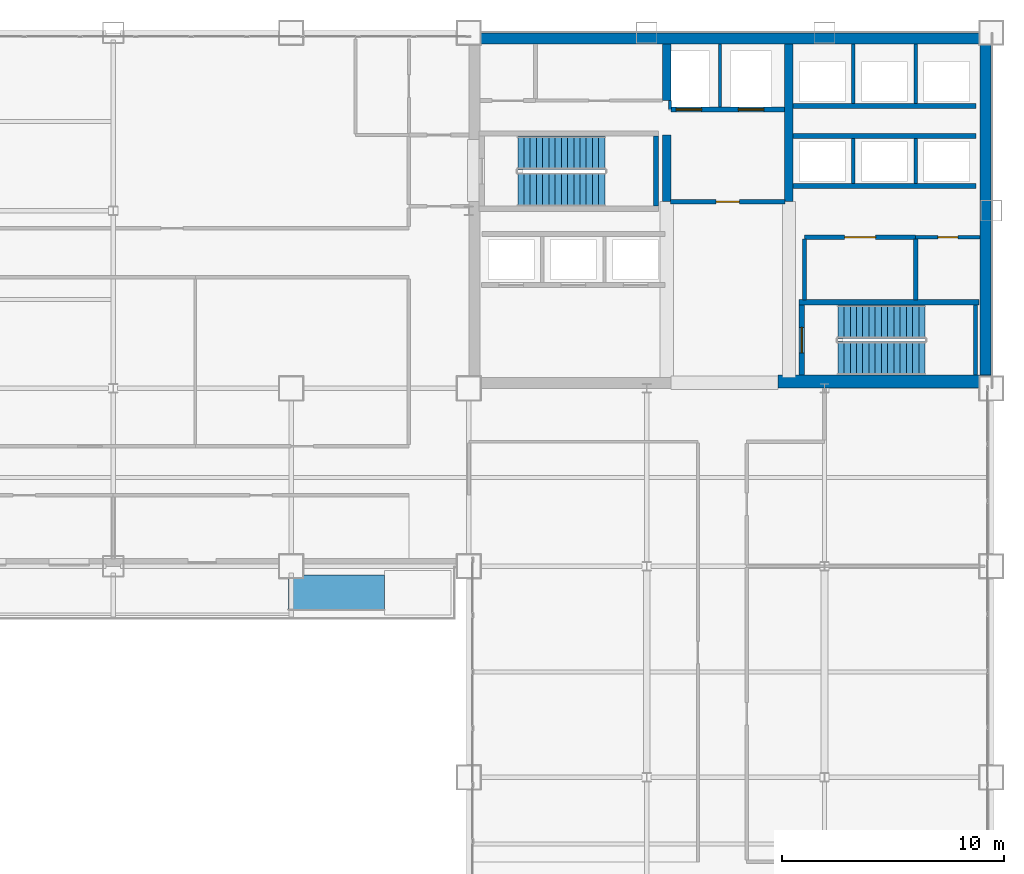
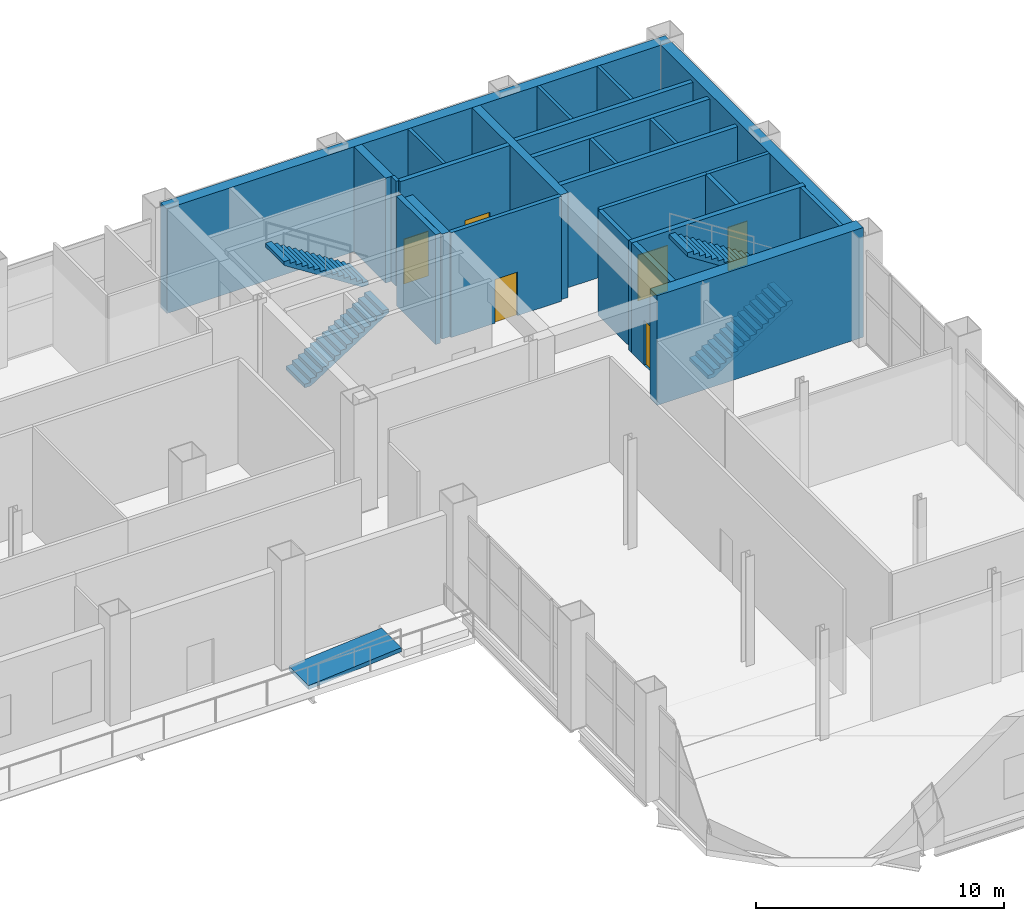
# One storey, part 20 of 22: 25 walls, 6 doors, 4 stair flights, 1 ramp flight, 6 openings, 3 elements without a shape of their own.
"""IFC4 building model written with IfcOpenShell, lengths in metres."""

from ifc_helpers import new_model, si_unit, direction, frame, frame_2d, origin, place, context, subcontext, project, spatial, polyline, rectangle, outline, extrude, material, layer, layer_set, type_object, element, fill, aggregate, save


model = new_model("IFC4")

# Units and contexts
model_context = context("Model", 3, precision=1e-05, world=origin(), true_north=direction((0.0, 1.0)))
body_context = subcontext(model_context, "Body", "Model", "MODEL_VIEW")
ifc_project = project(units=[si_unit("LENGTHUNIT", "METRE"), si_unit("AREAUNIT", "SQUARE_METRE"), si_unit("VOLUMEUNIT", "CUBIC_METRE"), si_unit("PLANEANGLEUNIT", "RADIAN"), si_unit("MASSUNIT", "GRAM", prefix="KILO")], contexts=[model_context])

# Site, building, storey
site_placement = place(None, origin())
site = spatial("IfcSite", under=ifc_project, at=site_placement, CompositionType="ELEMENT")
building_placement = place(site_placement, origin())
building = spatial("IfcBuilding", under=site, at=building_placement, Name="Qianrong Seaharbour Tower", CompositionType="ELEMENT")
storey_placement = place(building_placement, frame((0.0, 0.0, 113.60009765625)))
storey = spatial("IfcBuildingStorey", under=building, at=storey_placement, Name="L27", CompositionType="ELEMENT", Elevation=113.60009765625)

# Walls
ifc_material_1 = material(Name="Concrete C60/75", Category="concrete")
ifc_layer_1 = layer(ifc_material_1, 0.5)
ifc_layer_set_1 = layer_set([ifc_layer_1], Name="Concrete C60/75")
wall_type_1 = type_object("IfcWallType", Name="WALL-CORE-500", PredefinedType="SHEAR", material=ifc_layer_set_1)
wall_1_placement = place(storey_placement, frame((40.5, 51.75, 0.0), z_axis=(0.0, 0.0, 1.0), x_axis=(1.0, 0.0, 0.0)))
element("IfcWall", 1, at=wall_1_placement, inside=storey, type_object=wall_type_1, Name="L27 North Core Shear Wall", PredefinedType="SHEAR", context=body_context, shape_type="SweptSolid", body=[
    extrude(rectangle(XDim=23.5, YDim=0.5, at=frame_2d((11.75, 0.0))), origin(), (0.0, 0.0, 1.0), 5.164794921875),
])
wall_2_placement = place(storey_placement, frame((63.75, 36.320068359375, 0.0), z_axis=(0.0, 0.0, 1.0), x_axis=(0.0, 1.0, 0.0)))
element("IfcWall", 2, at=wall_2_placement, inside=storey, type_object=wall_type_1, Name="L27 East Core Shear Wall", PredefinedType="SHEAR", context=body_context, shape_type="SweptSolid", body=[
    extrude(rectangle(XDim=15.179931640625, YDim=0.5, at=frame_2d((7.58984375, 0.0))), origin(), (0.0, 0.0, 1.0), 5.164794921875),
])
ifc_material_2 = material(Name="Concrete C70/85", Category="concrete")
ifc_layer_2 = layer(ifc_material_2, 0.580078125)
ifc_layer_set_2 = layer_set([ifc_layer_2], Name="Concrete C70/85")
wall_type_2 = type_object("IfcWallType", Name="WALL-CORE-580", PredefinedType="SHEAR", material=ifc_layer_set_2)
wall_3_placement = place(storey_placement, frame((54.39990234375, 36.320068359375, 0.0), z_axis=(0.0, 0.0, 1.0), x_axis=(1.0, 0.0, 0.0)))
element("IfcWall", 3, at=wall_3_placement, inside=storey, type_object=wall_type_2, Name="L27 South Core Shear Wall S3", PredefinedType="SHEAR", context=body_context, shape_type="SweptSolid", body=[
    extrude(rectangle(XDim=9.60009765625, YDim=0.580078125, at=frame_2d((4.800048828125, 0.0))), origin(), (0.0, 0.0, 1.0), 5.39990234375),
])
ifc_layer_3 = layer(ifc_material_1, 0.3798828125)
ifc_layer_set_3 = layer_set([ifc_layer_3], Name="Concrete C60/75")
wall_type_3 = type_object("IfcWallType", Name="WALL-CORE-INT-380", PredefinedType="SHEAR", material=ifc_layer_set_3)
wall_4_placement = place(storey_placement, frame((49.39990234375, 44.39990234375, 0.0), z_axis=(0.0, 0.0, 1.0), x_axis=(0.0, 1.0, 0.0)))
element("IfcWall", 4, at=wall_4_placement, inside=storey, type_object=wall_type_3, Name="L27 Internal Core Shear Wall IW1N1", PredefinedType="SHEAR", context=body_context, shape_type="SweptSolid", body=[
    extrude(rectangle(XDim=3.0, YDim=0.3798828125, at=frame_2d((1.5, 0.0))), origin(), (0.0, 0.0, 1.0), 5.164794921875),
])
wall_5_placement = place(storey_placement, frame((49.39990234375, 48.949951171875, 0.0), z_axis=(0.0, 0.0, 1.0), x_axis=(0.0, 1.0, 0.0)))
element("IfcWall", 5, at=wall_5_placement, inside=storey, type_object=wall_type_3, Name="L27 Internal Core Shear Wall IW1N2", PredefinedType="SHEAR", context=body_context, shape_type="SweptSolid", body=[
    extrude(rectangle(XDim=2.550048828125, YDim=0.3798828125, at=frame_2d((1.27490234375, 0.0))), origin(), (0.0, 0.0, 1.0), 5.164794921875),
])
wall_6_placement = place(storey_placement, frame((54.89990234375, 44.39990234375, 0.0), z_axis=(0.0, 0.0, 1.0), x_axis=(0.0, 1.0, 0.0)))
element("IfcWall", 6, at=wall_6_placement, inside=storey, type_object=wall_type_3, Name="L27 Internal Core Shear Wall IW2N", PredefinedType="SHEAR", context=body_context, shape_type="SweptSolid", body=[
    extrude(rectangle(XDim=7.10009765625, YDim=0.3798828125, at=frame_2d((3.550048828125, 0.0))), origin(), (0.0, 0.0, 1.0), 5.164794921875),
])

# Wall, opening, door
ifc_material_3 = material(Name="Fire-rated acoustic gypsum board partition")
ifc_layer_4 = layer(ifc_material_3, 0.1650390625)
ifc_layer_set_4 = layer_set([ifc_layer_4], Name="Fire-rated acoustic gypsum board partition")
wall_type_4 = type_object("IfcWallType", Name="WALL-CORR-PART-165", PredefinedType="PARTITIONING", material=ifc_layer_set_4)
wall_7_placement = place(storey_placement, frame((63.5, 42.800048828125, 0.0), z_axis=(0.0, 0.0, 1.0), x_axis=(-1.0, 0.0, 0.0)))
wall_7 = element("IfcWall", 7, at=wall_7_placement, inside=storey, type_object=wall_type_4, Name="L27 Interior Partition Wall 012", PredefinedType="PARTITIONING", context=body_context, shape_type="SweptSolid", body=[
    extrude(rectangle(XDim=2.89990234375, YDim=0.1650390625, at=frame_2d((1.449951171875, 0.0))), origin(), (0.0, 0.0, 1.0), 5.164794921875),
])
opening_1_placement = place(wall_7_placement, frame((1.0, 0.0, 0.0)))
opening_1 = element("IfcOpeningElement", 8, at=opening_1_placement, cuts=wall_7, Name="Opening DS-01", PredefinedType="OPENING", context=body_context, shape_type="SweptSolid", body=[
    extrude(rectangle(XDim=0.89990234375, YDim=2.14990234375, at=frame_2d((0.449951171875, 1.074951171875))), frame((0.0, 0.092529296875, 0.0), z_axis=(0.0, -1.0, 0.0), x_axis=(1.0, 0.0, 0.0)), (0.0, 0.0, 1.0), 0.18505859375),
])
ifc_material_4 = material(Name="Acoustic timber and galvanized steel fire door assembly", Category="steel")
door_type_1 = type_object("IfcDoorType", Name="DOOR-STORE-900x2150", OperationType="NOTDEFINED", PredefinedType="DOOR", material=ifc_material_4)
door_1_placement = place(opening_1_placement, origin())
door_1 = element("IfcDoor", 9, at=door_1_placement, inside=storey, type_object=door_type_1, Name="L27 Housekeeping Linen Store Door", OperationType="SINGLE_SWING_RIGHT", OverallHeight=2.14990234375, OverallWidth=0.89990234375, PredefinedType="DOOR", context=body_context, shape_type="SweptSolid", body=[
    extrude(rectangle(XDim=0.89990234375, YDim=2.14990234375, at=frame_2d((0.449951171875, 1.074951171875))), frame((0.0, 0.02490234375, 0.0), z_axis=(0.0, -1.0, 0.0), x_axis=(1.0, 0.0, 0.0)), (0.0, 0.0, 1.0), 0.050048828125),
])
fill(opening_1, door_1)

ifc_material_5 = material(Name="Double fire-rated gypsum board acoustic partition")
ifc_layer_5 = layer(ifc_material_5, 0.18994140625)
ifc_layer_set_5 = layer_set([ifc_layer_5], Name="Double fire-rated gypsum board acoustic partition")
wall_type_5 = type_object("IfcWallType", Name="WALL-FIRE-PART-190", PredefinedType="PARTITIONING", material=ifc_layer_set_5)
wall_8_placement = place(storey_placement, frame((54.718017578125, 44.39990234375, 0.0), z_axis=(0.0, 0.0, 1.0), x_axis=(-1.0, 0.0, 0.0)))
wall_8 = element("IfcWall", 10, at=wall_8_placement, inside=storey, type_object=wall_type_5, Name="L27 Interior Partition Wall 009", PredefinedType="PARTITIONING", context=body_context, shape_type="SweptSolid", body=[
    extrude(rectangle(XDim=5.135986328125, YDim=0.18994140625, at=frame_2d((2.56787109375, 0.0))), origin(), (0.0, 0.0, 1.0), 5.164794921875),
])
opening_2_placement = place(wall_8_placement, frame((2.04296875, 0.0, 0.0)))
opening_2 = element("IfcOpeningElement", 11, at=opening_2_placement, cuts=wall_8, Name="Opening DC-01", PredefinedType="OPENING", context=body_context, shape_type="SweptSolid", body=[
    extrude(rectangle(XDim=1.050048828125, YDim=2.14990234375, at=frame_2d((0.52490234375, 1.074951171875))), frame((0.0, 0.10498046875, 0.0), z_axis=(0.0, -1.0, 0.0), x_axis=(1.0, 0.0, 0.0)), (0.0, 0.0, 1.0), 0.2099609375),
])
door_type_2 = type_object("IfcDoorType", Name="DOOR-CORR-FD60-1050x2150", OperationType="NOTDEFINED", PredefinedType="DOOR", material=ifc_material_4)
door_2_placement = place(opening_2_placement, origin())
door_2 = element("IfcDoor", 12, at=door_2_placement, inside=storey, type_object=door_type_2, Name="L27 Firefighting Lift Lobby Door", OperationType="SINGLE_SWING_RIGHT", OverallHeight=2.14990234375, OverallWidth=1.050048828125, PredefinedType="DOOR", context=body_context, shape_type="SweptSolid", body=[
    extrude(rectangle(XDim=1.050048828125, YDim=2.14990234375, at=frame_2d((0.52490234375, 1.074951171875))), frame((0.0, 0.02490234375, 0.0), z_axis=(0.0, -1.0, 0.0), x_axis=(1.0, 0.0, 0.0)), (0.0, 0.0, 1.0), 0.050048828125),
])
fill(opening_2, door_2)

# Wall
wall_9_placement = place(storey_placement, frame((55.60009765625, 42.712890625, 0.0), z_axis=(0.0, 0.0, 1.0), x_axis=(0.0, -1.0, 0.0)))
element("IfcWall", 13, at=wall_9_placement, inside=storey, type_object=wall_type_5, Name="L27 Interior Partition Wall 010", PredefinedType="PARTITIONING", context=body_context, shape_type="SweptSolid", body=[
    extrude(rectangle(XDim=2.73095703125, YDim=0.18994140625, at=frame_2d((1.365478515625, 0.0))), origin(), (0.0, 0.0, 1.0), 5.164794921875),
])

# Wall, opening, door
wall_10_placement = place(storey_placement, frame((60.60009765625, 42.800048828125, 0.0), z_axis=(0.0, 0.0, 1.0), x_axis=(-1.0, 0.0, 0.0)))
wall_10 = element("IfcWall", 14, at=wall_10_placement, inside=storey, type_object=wall_type_5, Name="L27 Interior Partition Wall 011", PredefinedType="PARTITIONING", context=body_context, shape_type="SweptSolid", body=[
    extrude(rectangle(XDim=5.0, YDim=0.18994140625, at=frame_2d((2.5, 0.0))), origin(), (0.0, 0.0, 1.0), 5.164794921875),
])
opening_3_placement = place(wall_10_placement, frame((1.800048828125, 0.0, 0.0)))
opening_3 = element("IfcOpeningElement", 15, at=opening_3_placement, cuts=wall_10, Name="Opening DP-01", PredefinedType="OPENING", context=body_context, shape_type="SweptSolid", body=[
    extrude(rectangle(XDim=1.39990234375, YDim=2.25, at=frame_2d((0.699951171875, 1.125))), frame((0.0, 0.10498046875, 0.0), z_axis=(0.0, -1.0, 0.0), x_axis=(1.0, 0.0, 0.0)), (0.0, 0.0, 1.0), 0.2099609375),
])
door_type_3 = type_object("IfcDoorType", Name="DOOR-PLANT-PAIR-1400x2250", OperationType="DOUBLE_DOOR_SINGLE_SWING", PredefinedType="DOOR", material=ifc_material_4)
door_3_placement = place(opening_3_placement, origin())
door_3 = element("IfcDoor", 16, at=door_3_placement, inside=storey, type_object=door_type_3, Name="L27 Submetering Switch Room Door", OperationType="DOUBLE_DOOR_SINGLE_SWING", OverallHeight=2.25, OverallWidth=1.39990234375, PredefinedType="DOOR", context=body_context, shape_type="SweptSolid", body=[
    extrude(rectangle(XDim=1.39990234375, YDim=2.25, at=frame_2d((0.699951171875, 1.125))), frame((0.0, 0.02490234375, 0.0), z_axis=(0.0, -1.0, 0.0), x_axis=(1.0, 0.0, 0.0)), (0.0, 0.0, 1.0), 0.050048828125),
])
fill(opening_3, door_3)

# Walls
wall_11_placement = place(storey_placement, frame((60.60009765625, 42.712890625, 0.0), z_axis=(0.0, 0.0, 1.0), x_axis=(0.0, -1.0, 0.0)))
element("IfcWall", 17, at=wall_11_placement, inside=storey, type_object=wall_type_5, Name="L27 Interior Partition Wall 014", PredefinedType="PARTITIONING", context=body_context, shape_type="SweptSolid", body=[
    extrude(rectangle(XDim=2.73095703125, YDim=0.18994140625, at=frame_2d((1.365478515625, 0.0))), origin(), (0.0, 0.0, 1.0), 5.164794921875),
])
ifc_material_6 = material(Name="Fire-rated gypsum board on steel studs", Category="steel")
ifc_layer_6 = layer(ifc_material_6, 0.14990234375)
ifc_layer_set_6 = layer_set([ifc_layer_6], Name="Fire-rated gypsum board on steel studs")
wall_type_6 = type_object("IfcWallType", Name="WALL-SHAFT-DIV-150", PredefinedType="PARTITIONING", material=ifc_layer_set_6)
wall_12_placement = place(storey_placement, frame((51.800048828125, 48.669921875, 0.0), z_axis=(0.0, 0.0, 1.0), x_axis=(0.0, 1.0, 0.0)))
element("IfcWall", 18, at=wall_12_placement, inside=storey, type_object=wall_type_6, Name="L27 Firefighting Lift Shaft Divider Wall", PredefinedType="PARTITIONING", context=body_context, shape_type="SweptSolid", body=[
    extrude(rectangle(XDim=2.830078125, YDim=0.14990234375, at=frame_2d((1.4150390625, 0.0))), origin(), (0.0, 0.0, 1.0), 5.164794921875),
])
wall_13_placement = place(storey_placement, frame((49.550048828125, 48.550048828125, 0.0), z_axis=(0.0, 0.0, 1.0), x_axis=(0.0, 1.0, 0.0)))
element("IfcWall", 19, at=wall_13_placement, inside=storey, type_object=wall_type_6, Name="L27 Firefighting Lift Shaft West Return Wall", PredefinedType="PARTITIONING", context=body_context, shape_type="SweptSolid", body=[
    extrude(rectangle(XDim=0.39990234375, YDim=0.14990234375, at=frame_2d((0.199951171875, 0.0))), origin(), (0.0, 0.0, 1.0), 5.164794921875),
])
for number, where, z_axis, x_axis, name in (
    (20, (57.800048828125, 45.2099609375, 0.0), (0.0, 0.0, 1.0), (0.0, 1.0, 0.0), "L27 P3 Lift Hoistway Divider 2"),
    (21, (60.60009765625, 45.2099609375, 0.0), (0.0, 0.0, 1.0), (0.0, 1.0, 0.0), "L27 P3 Lift Hoistway Divider 3"),
):
    element("IfcWall", number, at=place(storey_placement, frame(where, z_axis=z_axis, x_axis=x_axis)), inside=storey, type_object=wall_type_6, Name=name, PredefinedType="PARTITIONING", context=body_context, shape_type="SweptSolid", body=[
        extrude(rectangle(XDim=2.030029296875, YDim=0.14990234375, at=frame_2d((1.01513671875, 0.0))), origin(), (0.0, 0.0, 1.0), 5.164794921875),
    ])
for number, where, z_axis, x_axis, name in (
    (22, (57.800048828125, 48.81005859375, 0.0), (0.0, 0.0, 1.0), (0.0, 1.0, 0.0), "L27 P4 Lift Hoistway Divider 2"),
    (23, (60.60009765625, 48.81005859375, 0.0), (0.0, 0.0, 1.0), (0.0, 1.0, 0.0), "L27 P4 Lift Hoistway Divider 3"),
):
    element("IfcWall", number, at=place(storey_placement, frame(where, z_axis=z_axis, x_axis=x_axis)), inside=storey, type_object=wall_type_6, Name=name, PredefinedType="PARTITIONING", context=body_context, shape_type="SweptSolid", body=[
        extrude(rectangle(XDim=2.68994140625, YDim=0.14990234375, at=frame_2d((1.344970703125, 0.0))), origin(), (0.0, 0.0, 1.0), 5.164794921875),
    ])

# Wall, openings, doors
ifc_layer_7 = layer(ifc_material_6, 0.219970703125)
ifc_layer_set_7 = layer_set([ifc_layer_7], Name="Fire-rated gypsum board on steel studs")
wall_type_7 = type_object("IfcWallType", Name="WALL-SHAFT-GYP220", PredefinedType="PARTITIONING", material=ifc_layer_set_7)
wall_14_placement = place(storey_placement, frame((54.7099609375, 48.550048828125, 0.0), z_axis=(0.0, 0.0, 1.0), x_axis=(-1.0, 0.0, 0.0)))
wall_14 = element("IfcWall", 24, at=wall_14_placement, inside=storey, type_object=wall_type_7, Name="L27 Firefighting Lift Shaft Front Wall", PredefinedType="PARTITIONING", context=body_context, shape_type="SweptSolid", body=[
    extrude(rectangle(XDim=5.119873046875, YDim=0.219970703125, at=frame_2d((2.56005859375, 0.0))), origin(), (0.0, 0.0, 1.0), 5.164794921875),
])
opening_4_placement = place(wall_14_placement, frame((3.735107421875, 0.0, 0.0)))
opening_4 = element("IfcOpeningElement", 25, at=opening_4_placement, cuts=wall_14, Name="Opening LD-01", PredefinedType="OPENING", context=body_context, shape_type="SweptSolid", body=[
    extrude(rectangle(XDim=1.14990234375, YDim=2.199951171875, at=frame_2d((0.574951171875, 1.10009765625))), frame((0.0, 0.1201171875, 0.0), z_axis=(0.0, -1.0, 0.0), x_axis=(1.0, 0.0, 0.0)), (0.0, 0.0, 1.0), 0.239990234375),
])
opening_5_placement = place(wall_14_placement, frame((0.93505859375, 0.0, 0.0)))
opening_5 = element("IfcOpeningElement", 26, at=opening_5_placement, cuts=wall_14, Name="Opening LD-01", PredefinedType="OPENING", context=body_context, shape_type="SweptSolid", body=[
    extrude(rectangle(XDim=1.14990234375, YDim=2.199951171875, at=frame_2d((0.574951171875, 1.10009765625))), frame((0.0, 0.1201171875, 0.0), z_axis=(0.0, -1.0, 0.0), x_axis=(1.0, 0.0, 0.0)), (0.0, 0.0, 1.0), 0.239990234375),
])
ifc_material_7 = material(Name="Stainless steel SUS316L bi-parting lift landing door", Category="steel")
door_type_4 = type_object("IfcDoorType", Name="DOOR-LIFT-FF-1150x2200", OperationType="DOUBLE_DOOR_SLIDING", PredefinedType="DOOR", material=ifc_material_7)
door_4_placement = place(opening_4_placement, origin())
door_4 = element("IfcDoor", 27, at=door_4_placement, inside=storey, type_object=door_type_4, Name="L27 FL-1 Firefighting Lift Landing Door", OperationType="DOUBLE_DOOR_SLIDING", OverallHeight=2.199951171875, OverallWidth=1.14990234375, PredefinedType="DOOR", context=body_context, shape_type="SweptSolid", body=[
    extrude(rectangle(XDim=1.14990234375, YDim=2.199951171875, at=frame_2d((0.574951171875, 1.10009765625))), frame((0.0, 0.02490234375, 0.0), z_axis=(0.0, -1.0, 0.0), x_axis=(1.0, 0.0, 0.0)), (0.0, 0.0, 1.0), 0.050048828125),
])
fill(opening_4, door_4)
door_5_placement = place(opening_5_placement, origin())
door_5 = element("IfcDoor", 28, at=door_5_placement, inside=storey, type_object=door_type_4, Name="L27 FL-2 Firefighting Lift Landing Door", OperationType="DOUBLE_DOOR_SLIDING", OverallHeight=2.199951171875, OverallWidth=1.14990234375, PredefinedType="DOOR", context=body_context, shape_type="SweptSolid", body=[
    extrude(rectangle(XDim=1.14990234375, YDim=2.199951171875, at=frame_2d((0.574951171875, 1.10009765625))), frame((0.0, 0.02490234375, 0.0), z_axis=(0.0, -1.0, 0.0), x_axis=(1.0, 0.0, 0.0)), (0.0, 0.0, 1.0), 0.050048828125),
])
fill(opening_5, door_5)

# Walls
for number, where, z_axis, x_axis, name in (
    (29, (63.320068359375, 45.10009765625, 0.0), (0.0, 0.0, 1.0), (-1.0, 0.0, 0.0), "L27 P3 Lift Hoistway Front Wall"),
    (30, (55.080078125, 47.35009765625, 0.0), (0.0, 0.0, 1.0), (1.0, 0.0, 0.0), "L27 P3 Lift Hoistway Back Wall"),
    (31, (63.320068359375, 48.699951171875, 0.0), (0.0, 0.0, 1.0), (-1.0, 0.0, 0.0), "L27 P4 Lift Hoistway Front Wall"),
):
    element("IfcWall", number, at=place(storey_placement, frame(where, z_axis=z_axis, x_axis=x_axis)), inside=storey, type_object=wall_type_7, Name=name, PredefinedType="PARTITIONING", context=body_context, shape_type="SweptSolid", body=[
        extrude(rectangle(XDim=8.239990234375, YDim=0.219970703125, at=frame_2d((4.1201171875, 0.0))), origin(), (0.0, 0.0, 1.0), 5.164794921875),
    ])
ifc_material_8 = material(Name="Concrete C50/60", Category="concrete")
ifc_layer_8 = layer(ifc_material_8, 0.239990234375)
ifc_layer_set_8 = layer_set([ifc_layer_8], Name="Concrete C50/60")
wall_type_8 = type_object("IfcWallType", Name="WALL-SHAFT-RC240", PredefinedType="SOLIDWALL", material=ifc_layer_set_8)
wall_15_placement = place(storey_placement, frame((48.919921875, 44.199951171875, 0.0), z_axis=(0.0, 0.0, 1.0), x_axis=(0.0, 1.0, 0.0)))
element("IfcWall", 32, at=wall_15_placement, inside=storey, type_object=wall_type_8, Name="L27 ST-1 Structural Stair Core Wall E", PredefinedType="SOLIDWALL", context=body_context, shape_type="SweptSolid", body=[
    extrude(rectangle(XDim=3.150146484375, YDim=0.239990234375, at=frame_2d((1.5751953125, 0.0))), origin(), (0.0, 0.0, 1.0), 5.39990234375),
])
wall_16_placement = place(storey_placement, frame((55.360107421875, 39.8701171875, 0.0), z_axis=(0.0, 0.0, 1.0), x_axis=(1.0, 0.0, 0.0)))
element("IfcWall", 33, at=wall_16_placement, inside=storey, type_object=wall_type_8, Name="L27 ST-2 Structural Stair Core Wall N", PredefinedType="SOLIDWALL", context=body_context, shape_type="SweptSolid", body=[
    extrude(rectangle(XDim=8.079833984375, YDim=0.239990234375, at=frame_2d((4.0400390625, 0.0))), origin(), (0.0, 0.0, 1.0), 5.39990234375),
])

# Wall, opening, door
wall_17_placement = place(storey_placement, frame((55.47998046875, 39.75, 0.0), z_axis=(0.0, 0.0, 1.0), x_axis=(0.0, -1.0, 0.0)))
wall_17 = element("IfcWall", 34, at=wall_17_placement, inside=storey, type_object=wall_type_8, Name="L27 ST-2 Structural Stair Core Wall W", PredefinedType="SOLIDWALL", context=body_context, shape_type="SweptSolid", body=[
    extrude(rectangle(XDim=3.14990234375, YDim=0.239990234375, at=frame_2d((1.574951171875, 0.0))), origin(), (0.0, 0.0, 1.0), 5.39990234375),
])
opening_6_placement = place(wall_17_placement, frame((1.0, 0.0, 0.0)))
opening_6 = element("IfcOpeningElement", 35, at=opening_6_placement, cuts=wall_17, Name="Opening SD-01", PredefinedType="OPENING", context=body_context, shape_type="SweptSolid", body=[
    extrude(rectangle(XDim=1.14990234375, YDim=2.199951171875, at=frame_2d((0.574951171875, 1.10009765625))), frame((0.0, 0.1298828125, 0.0), z_axis=(0.0, -1.0, 0.0), x_axis=(1.0, 0.0, 0.0)), (0.0, 0.0, 1.0), 0.260009765625),
])
door_type_5 = type_object("IfcDoorType", Name="DOOR-STAIR-FD60-1150x2200", OperationType="NOTDEFINED", PredefinedType="DOOR", material=ifc_material_4)
door_6_placement = place(opening_6_placement, origin())
door_6 = element("IfcDoor", 36, at=door_6_placement, inside=storey, type_object=door_type_5, Name="L27 ST-2 Protected Stair Door", OperationType="SINGLE_SWING_RIGHT", OverallHeight=2.199951171875, OverallWidth=1.14990234375, PredefinedType="DOOR", context=body_context, shape_type="SweptSolid", body=[
    extrude(rectangle(XDim=1.14990234375, YDim=2.199951171875, at=frame_2d((0.574951171875, 1.10009765625))), frame((0.0, 0.02490234375, 0.0), z_axis=(0.0, -1.0, 0.0), x_axis=(1.0, 0.0, 0.0)), (0.0, 0.0, 1.0), 0.050048828125),
])
fill(opening_6, door_6)

# Wall
wall_18_placement = place(storey_placement, frame((63.2900390625, 36.60009765625, 0.0), z_axis=(0.0, 0.0, 1.0), x_axis=(0.0, 1.0, 0.0)))
element("IfcWall", 37, at=wall_18_placement, inside=storey, type_object=wall_type_8, Name="L27 ST-2 Structural Stair Core Wall E", PredefinedType="SOLIDWALL", context=body_context, shape_type="SweptSolid", body=[
    extrude(rectangle(XDim=3.14990234375, YDim=0.179931640625, at=frame_2d((1.574951171875, 0.0))), origin(), (0.0, 0.0, 1.0), 5.39990234375),
])

# Stair, stair flights
stair_type = type_object("IfcStairType", Name="STAIR-DOGLEG-1500-R30", PredefinedType="HALF_TURN_STAIR", material=ifc_material_8)
stair_1_placement = place(storey_placement, origin())
stair_1 = element("IfcStair", 38, at=stair_1_placement, inside=storey, type_object=stair_type, Name="L27 Protected Escape Stair ST-1", PredefinedType="HALF_TURN_STAIR")
stair_flight_type = type_object("IfcStairFlightType", Name="FLIGHT-STR-1500-R30", PredefinedType="STRAIGHT", material=ifc_material_8)
stair_flight_1_placement = place(storey_placement, frame((42.699951171875, 44.949951171875, 0.0), z_axis=(0.0, 0.0, 1.0), x_axis=(1.0, 0.0, 0.0)))
stair_flight_1 = element("IfcStairFlight", 39, at=stair_flight_1_placement, type_object=stair_flight_type, Name="ST-1 flight 1", NumberOfRisers=15, NumberOfTreads=14, PredefinedType="STRAIGHT", RiserHeight=0.18, TreadLength=0.28, context=body_context, shape_type="SweptSolid", body=[
    extrude(outline(polyline([(0.0, 0.0), (0.0, 0.179931640625), (0.280029296875, 0.179931640625), (0.280029296875, 0.360107421875), (0.56005859375, 0.360107421875), (0.56005859375, 0.5400390625), (0.840087890625, 0.5400390625), (0.840087890625, 0.719970703125), (1.1201171875, 0.719970703125), (1.1201171875, 0.89990234375), (1.39990234375, 0.89990234375), (1.39990234375, 1.080078125), (1.679931640625, 1.080078125), (1.679931640625, 1.260009765625), (1.9599609375, 1.260009765625), (1.9599609375, 1.43994140625), (2.239990234375, 1.43994140625), (2.239990234375, 1.6201171875), (2.52001953125, 1.6201171875), (2.52001953125, 1.800048828125), (2.800048828125, 1.800048828125), (2.800048828125, 1.97998046875), (3.080078125, 1.97998046875), (3.080078125, 2.159912109375), (3.360107421875, 2.159912109375), (3.360107421875, 2.340087890625), (3.639892578125, 2.340087890625), (3.639892578125, 2.52001953125), (3.919921875, 2.52001953125), (3.919921875, 2.699951171875), (3.919921875, 2.329833984375), (0.295654296875, 0.0), (0.0, 0.0)])), frame((0.0, 0.75, 0.0), z_axis=(0.0, -1.0, 0.0), x_axis=(1.0, 0.0, 0.0)), (0.0, 0.0, 1.0), 1.5),
])
stair_flight_2_placement = place(storey_placement, frame((46.6201171875, 46.60009765625, 2.699951171875), z_axis=(0.0, 0.0, 1.0), x_axis=(-1.0, 0.0, 0.0)))
stair_flight_2 = element("IfcStairFlight", 40, at=stair_flight_2_placement, type_object=stair_flight_type, Name="ST-1 flight 2", NumberOfRisers=15, NumberOfTreads=14, PredefinedType="STRAIGHT", RiserHeight=0.18, TreadLength=0.28, context=body_context, shape_type="SweptSolid", body=[
    extrude(outline(polyline([(0.0, 0.0), (0.0, 0.179931640625), (0.280029296875, 0.179931640625), (0.280029296875, 0.360107421875), (0.56005859375, 0.360107421875), (0.56005859375, 0.5400390625), (0.840087890625, 0.5400390625), (0.840087890625, 0.719970703125), (1.1201171875, 0.719970703125), (1.1201171875, 0.89990234375), (1.39990234375, 0.89990234375), (1.39990234375, 1.080078125), (1.679931640625, 1.080078125), (1.679931640625, 1.260009765625), (1.9599609375, 1.260009765625), (1.9599609375, 1.43994140625), (2.239990234375, 1.43994140625), (2.239990234375, 1.6201171875), (2.52001953125, 1.6201171875), (2.52001953125, 1.800048828125), (2.800048828125, 1.800048828125), (2.800048828125, 1.97998046875), (3.080078125, 1.97998046875), (3.080078125, 2.159912109375), (3.360107421875, 2.159912109375), (3.360107421875, 2.340087890625), (3.639892578125, 2.340087890625), (3.639892578125, 2.52001953125), (3.919921875, 2.52001953125), (3.919921875, 2.699951171875), (3.919921875, 2.329833984375), (0.295654296875, 0.0), (0.0, 0.0)])), frame((0.0, 0.75, 0.0), z_axis=(0.0, -1.0, 0.0), x_axis=(1.0, 0.0, 0.0)), (0.0, 0.0, 1.0), 1.5),
])
aggregate(stair_1, [stair_flight_1, stair_flight_2])

stair_2_placement = place(storey_placement, origin())
stair_2 = element("IfcStair", 41, at=stair_2_placement, inside=storey, type_object=stair_type, Name="L27 Protected Escape Stair ST-2", PredefinedType="HALF_TURN_STAIR")
stair_flight_3_placement = place(storey_placement, frame((57.10009765625, 37.35009765625, 0.0), z_axis=(0.0, 0.0, 1.0), x_axis=(1.0, 0.0, 0.0)))
stair_flight_3 = element("IfcStairFlight", 42, at=stair_flight_3_placement, type_object=stair_flight_type, Name="ST-2 flight 1", NumberOfRisers=15, NumberOfTreads=14, PredefinedType="STRAIGHT", RiserHeight=0.18, TreadLength=0.28, context=body_context, shape_type="SweptSolid", body=[
    extrude(outline(polyline([(0.0, 0.0), (0.0, 0.179931640625), (0.280029296875, 0.179931640625), (0.280029296875, 0.360107421875), (0.56005859375, 0.360107421875), (0.56005859375, 0.5400390625), (0.840087890625, 0.5400390625), (0.840087890625, 0.719970703125), (1.1201171875, 0.719970703125), (1.1201171875, 0.89990234375), (1.39990234375, 0.89990234375), (1.39990234375, 1.080078125), (1.679931640625, 1.080078125), (1.679931640625, 1.260009765625), (1.9599609375, 1.260009765625), (1.9599609375, 1.43994140625), (2.239990234375, 1.43994140625), (2.239990234375, 1.6201171875), (2.52001953125, 1.6201171875), (2.52001953125, 1.800048828125), (2.800048828125, 1.800048828125), (2.800048828125, 1.97998046875), (3.080078125, 1.97998046875), (3.080078125, 2.159912109375), (3.360107421875, 2.159912109375), (3.360107421875, 2.340087890625), (3.639892578125, 2.340087890625), (3.639892578125, 2.52001953125), (3.919921875, 2.52001953125), (3.919921875, 2.699951171875), (3.919921875, 2.329833984375), (0.295654296875, 0.0), (0.0, 0.0)])), frame((0.0, 0.75, 0.0), z_axis=(0.0, -1.0, 0.0), x_axis=(1.0, 0.0, 0.0)), (0.0, 0.0, 1.0), 1.5),
])
stair_flight_4_placement = place(storey_placement, frame((61.02001953125, 39.0, 2.699951171875), z_axis=(0.0, 0.0, 1.0), x_axis=(-1.0, 0.0, 0.0)))
stair_flight_4 = element("IfcStairFlight", 43, at=stair_flight_4_placement, type_object=stair_flight_type, Name="ST-2 flight 2", NumberOfRisers=15, NumberOfTreads=14, PredefinedType="STRAIGHT", RiserHeight=0.18, TreadLength=0.28, context=body_context, shape_type="SweptSolid", body=[
    extrude(outline(polyline([(0.0, 0.0), (0.0, 0.179931640625), (0.280029296875, 0.179931640625), (0.280029296875, 0.360107421875), (0.56005859375, 0.360107421875), (0.56005859375, 0.5400390625), (0.840087890625, 0.5400390625), (0.840087890625, 0.719970703125), (1.1201171875, 0.719970703125), (1.1201171875, 0.89990234375), (1.39990234375, 0.89990234375), (1.39990234375, 1.080078125), (1.679931640625, 1.080078125), (1.679931640625, 1.260009765625), (1.9599609375, 1.260009765625), (1.9599609375, 1.43994140625), (2.239990234375, 1.43994140625), (2.239990234375, 1.6201171875), (2.52001953125, 1.6201171875), (2.52001953125, 1.800048828125), (2.800048828125, 1.800048828125), (2.800048828125, 1.97998046875), (3.080078125, 1.97998046875), (3.080078125, 2.159912109375), (3.360107421875, 2.159912109375), (3.360107421875, 2.340087890625), (3.639892578125, 2.340087890625), (3.639892578125, 2.52001953125), (3.919921875, 2.52001953125), (3.919921875, 2.699951171875), (3.919921875, 2.329833984375), (0.295654296875, 0.0), (0.0, 0.0)])), frame((0.0, 0.75, 0.0), z_axis=(0.0, -1.0, 0.0), x_axis=(1.0, 0.0, 0.0)), (0.0, 0.0, 1.0), 1.5),
])
aggregate(stair_2, [stair_flight_3, stair_flight_4])

# Ramp, ramp flight
ifc_material_9 = material(Name="White architectural precast concrete C45/55", Category="concrete")
ramp_type = type_object("IfcRampType", Name="RAMP-RIBBON-GARDEN", PredefinedType="STRAIGHT_RUN_RAMP", material=ifc_material_9)
ramp_placement = place(storey_placement, origin())
ramp = element("IfcRamp", 44, at=ramp_placement, inside=storey, type_object=ramp_type, Name="L27 Harbourfront Garden Ribbon Ramp", PredefinedType="STRAIGHT_RUN_RAMP")
ifc_layer_9 = layer(ifc_material_9, 0.199951171875)
ifc_layer_set_9 = layer_set([ifc_layer_9], Name="White architectural precast concrete C45/55")
ramp_flight_type = type_object("IfcRampFlightType", Name="RAMP-FLIGHT-GARDEN-200", PredefinedType="STRAIGHT", material=ifc_layer_set_9)
ramp_flight_placement = place(storey_placement, frame((32.3798828125, 26.800048828125, 0.0), z_axis=(0.0, 0.0, 1.0), x_axis=(1.0, 0.0, 0.0)))
ramp_flight = element("IfcRampFlight", 45, at=ramp_flight_placement, type_object=ramp_flight_type, Name="L27 Harbourfront Garden Ribbon Ramp Flight", PredefinedType="STRAIGHT", context=body_context, shape_type="SweptSolid", body=[
    extrude(outline(polyline([(0.0, 0.0), (4.320068359375, 0.360107421875), (4.320068359375, 0.16015625), (0.0, -0.199951171875), (0.0, 0.0)])), frame((0.0, 0.800048828125, 0.0), z_axis=(0.0, -1.0, 0.0), x_axis=(1.0, 0.0, 0.0)), (0.0, 0.0, 1.0), 1.60009765625),
])
aggregate(ramp, [ramp_flight])

save(model, "model.ifc")
